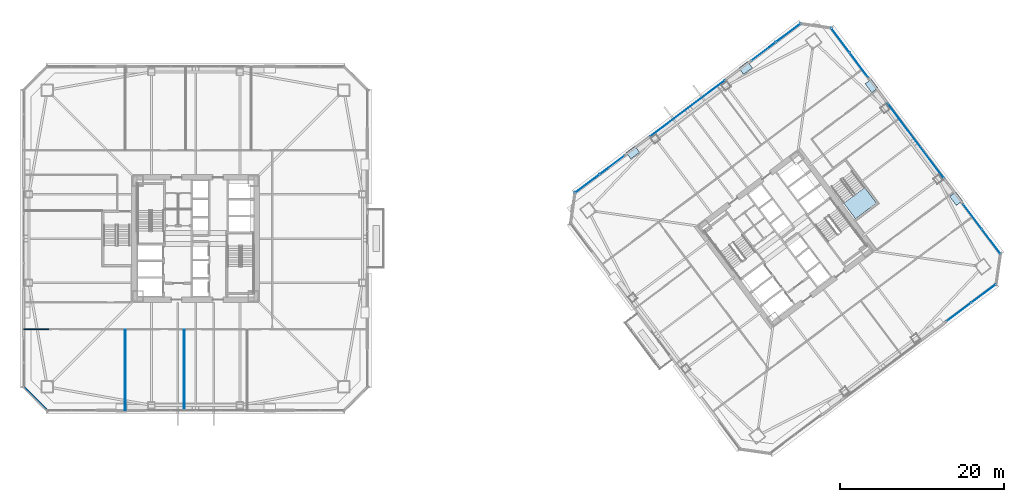
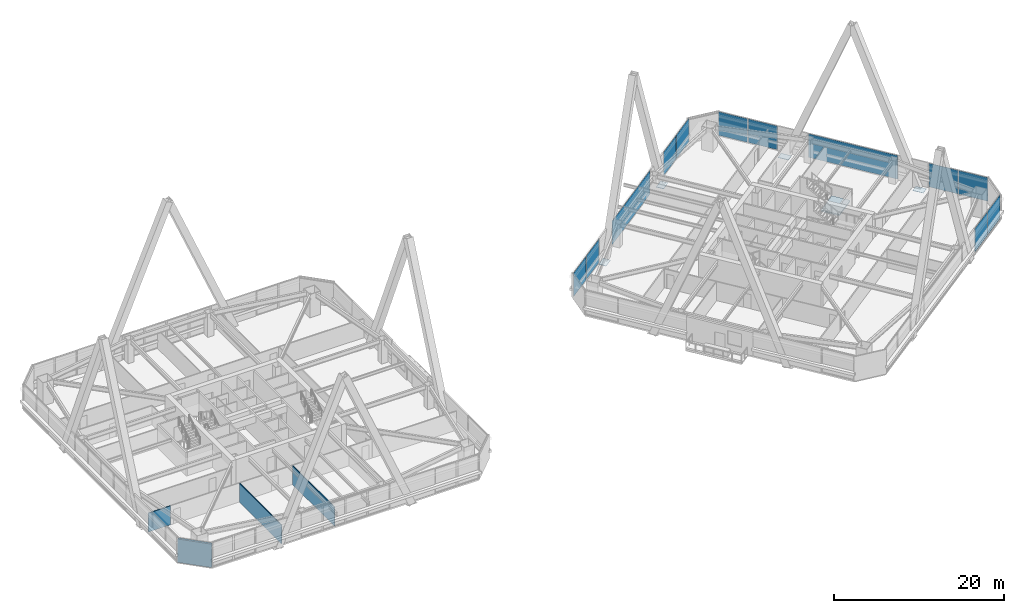
# One storey, part 42 of 54: 16 plates, 4 walls, 1 slab, 8 elements without a shape of their own.
"""IFC4 building model written with IfcOpenShell, lengths in metres."""

from ifc_helpers import new_model, si_unit, direction, frame, frame_2d, origin, origin_2d, place, context, subcontext, project, spatial, polyline, rectangle, outline, extrude, material, layer, layer_set, type_object, element, aggregate, save


model = new_model("IFC4")

# Units and contexts
model_context = context("Model", 3, precision=1e-05, world=origin(), true_north=direction((0.0, 1.0)))
body_context = subcontext(model_context, "Body", "Model", "MODEL_VIEW")
ifc_project = project(units=[si_unit("LENGTHUNIT", "METRE"), si_unit("AREAUNIT", "SQUARE_METRE"), si_unit("VOLUMEUNIT", "CUBIC_METRE"), si_unit("PLANEANGLEUNIT", "RADIAN"), si_unit("MASSUNIT", "GRAM", prefix="KILO")], contexts=[model_context])

# Site, building, storey
site_placement = place(None, origin())
site = spatial("IfcSite", under=ifc_project, at=site_placement, CompositionType="ELEMENT")
building_placement = place(site_placement, origin())
building = spatial("IfcBuilding", under=site, at=building_placement, Name="Tashvorn Skyway Center", CompositionType="ELEMENT")
storey_placement = place(building_placement, frame((0.0, 0.0, 88.5)))
storey = spatial("IfcBuildingStorey", under=building, at=storey_placement, Name="L23", CompositionType="ELEMENT", Elevation=88.5)

# Curtain wall, plates
ifc_material_1 = material(Name="Thermally broken bronze-anodized aluminium 6063-T6", Category="aluminium")
curtain_wall_type = type_object("IfcCurtainWallType", Name="CW-CW-Z2", PredefinedType="NOTDEFINED", material=ifc_material_1)
curtain_wall_1_placement = place(storey_placement, origin())
curtain_wall_1 = element("IfcCurtainWall", 1, at=curtain_wall_1_placement, inside=storey, type_object=curtain_wall_type, Name="Tower 2 L23 South Unitised Curtain Wall Glazing Group 1", PredefinedType="NOTDEFINED")
ifc_material_2 = material(Name="Low-E solar-control double insulating safety glass", Category="glass")
ifc_layer_1 = layer(ifc_material_2, 0.0439453125)
ifc_layer_set_1 = layer_set([ifc_layer_1], Name="Low-E solar-control double insulating safety glass")
plate_type_1 = type_object("IfcPlateType", Name="CWP-CW-Z2", PredefinedType="CURTAIN_PANEL", material=ifc_layer_set_1)
plate_1_placement = place(storey_placement, frame((138.199951171875, 25.300048828125, 0.080078125), z_axis=(0.0, 0.0, 1.0), x_axis=(-0.799999999998, -0.600000000002, 0.0)))
plate_1 = element("IfcPlate", 2, at=plate_1_placement, type_object=plate_type_1, Name="CW-Z2 panel 1.1", PredefinedType="CURTAIN_PANEL", context=body_context, shape_type="SweptSolid", body=[
    extrude(rectangle(XDim=3.719970703125, YDim=0.0439453125, at=origin_2d()), origin(), (0.0, 0.0, 1.0), 3.389892578125),
])
plate_2_placement = place(storey_placement, frame((135.159912109375, 23.02001953125, 0.080078125), z_axis=(0.0, 0.0, 1.0), x_axis=(-0.799999999998, -0.600000000002, 0.0)))
plate_2 = element("IfcPlate", 3, at=plate_2_placement, type_object=plate_type_1, Name="CW-Z2 panel 2.1", PredefinedType="CURTAIN_PANEL", context=body_context, shape_type="SweptSolid", body=[
    extrude(rectangle(XDim=3.719970703125, YDim=0.0439453125, at=origin_2d()), origin(), (0.0, 0.0, 1.0), 3.389892578125),
])
aggregate(curtain_wall_1, [plate_1, plate_2])

curtain_wall_2_placement = place(storey_placement, origin())
curtain_wall_2 = element("IfcCurtainWall", 4, at=curtain_wall_2_placement, inside=storey, type_object=curtain_wall_type, Name="Tower 2 L23 North Unitised Curtain Wall Glazing Group 1", PredefinedType="NOTDEFINED")
plate_3_placement = place(storey_placement, frame((89.800048828125, 38.699951171875, 0.080078125), z_axis=(0.0, 0.0, 1.0), x_axis=(0.799999999998, 0.600000000002, 0.0)))
plate_3 = element("IfcPlate", 5, at=plate_3_placement, type_object=plate_type_1, Name="CW-Z2 panel 1.1", PredefinedType="CURTAIN_PANEL", context=body_context, shape_type="SweptSolid", body=[
    extrude(rectangle(XDim=3.719970703125, YDim=0.0439453125, at=origin_2d()), origin(), (0.0, 0.0, 1.0), 3.389892578125),
])
plate_4_placement = place(storey_placement, frame((92.840087890625, 40.97998046875, 0.080078125), z_axis=(0.0, 0.0, 1.0), x_axis=(0.799999999998, 0.600000000002, 0.0)))
plate_4 = element("IfcPlate", 6, at=plate_4_placement, type_object=plate_type_1, Name="CW-Z2 panel 2.1", PredefinedType="CURTAIN_PANEL", context=body_context, shape_type="SweptSolid", body=[
    extrude(rectangle(XDim=3.719970703125, YDim=0.0439453125, at=origin_2d()), origin(), (0.0, 0.0, 1.0), 3.389892578125),
])
aggregate(curtain_wall_2, [plate_3, plate_4])

# Curtain wall, plate
curtain_wall_3_placement = place(storey_placement, origin())
curtain_wall_3 = element("IfcCurtainWall", 7, at=curtain_wall_3_placement, inside=storey, type_object=curtain_wall_type, Name="Tower 2 L23 North Unitised Curtain Wall Glazing Group 2", PredefinedType="NOTDEFINED")
plate_5_placement = place(storey_placement, frame((102.072021484375, 47.904052734375, 0.080078125), z_axis=(0.0, 0.0, 1.0), x_axis=(0.799999999998, 0.600000000002, 0.0)))
plate_5 = element("IfcPlate", 8, at=plate_5_placement, type_object=plate_type_1, Name="CW-Z2 panel 1.1", PredefinedType="CURTAIN_PANEL", context=body_context, shape_type="SweptSolid", body=[
    extrude(rectangle(XDim=11.360107421875, YDim=0.0439453125, at=origin_2d()), origin(), (0.0, 0.0, 1.0), 3.389892578125),
])
aggregate(curtain_wall_3, [plate_5])

# Curtain wall, plates
curtain_wall_4_placement = place(storey_placement, origin())
curtain_wall_4 = element("IfcCurtainWall", 9, at=curtain_wall_4_placement, inside=storey, type_object=curtain_wall_type, Name="Tower 2 L23 North Unitised Curtain Wall Glazing Group 3", PredefinedType="NOTDEFINED")
plate_6_placement = place(storey_placement, frame((111.303955078125, 54.827880859375, 0.080078125), z_axis=(0.0, 0.0, 1.0), x_axis=(0.799999999998, 0.600000000002, 0.0)))
plate_6 = element("IfcPlate", 10, at=plate_6_placement, type_object=plate_type_1, Name="CW-Z2 panel 1.1", PredefinedType="CURTAIN_PANEL", context=body_context, shape_type="SweptSolid", body=[
    extrude(rectangle(XDim=3.719970703125, YDim=0.0439453125, at=origin_2d()), origin(), (0.0, 0.0, 1.0), 3.389892578125),
])
plate_7_placement = place(storey_placement, frame((114.343994140625, 57.10791015625, 0.080078125), z_axis=(0.0, 0.0, 1.0), x_axis=(0.799999999998, 0.600000000002, 0.0)))
plate_7 = element("IfcPlate", 11, at=plate_7_placement, type_object=plate_type_1, Name="CW-Z2 panel 2.1", PredefinedType="CURTAIN_PANEL", context=body_context, shape_type="SweptSolid", body=[
    extrude(rectangle(XDim=3.719970703125, YDim=0.0439453125, at=origin_2d()), origin(), (0.0, 0.0, 1.0), 3.389892578125),
])
aggregate(curtain_wall_4, [plate_6, plate_7])

curtain_wall_5_placement = place(storey_placement, origin())
curtain_wall_5 = element("IfcCurtainWall", 12, at=curtain_wall_5_placement, inside=storey, type_object=curtain_wall_type, Name="Tower 2 L23 East Unitised Curtain Wall Glazing Group 1", PredefinedType="NOTDEFINED")
plate_8_placement = place(storey_placement, frame((120.699951171875, 56.199951171875, 0.080078125), z_axis=(0.0, 0.0, 1.0), x_axis=(0.600000000002, -0.799999999998, 0.0)))
plate_8 = element("IfcPlate", 13, at=plate_8_placement, type_object=plate_type_1, Name="CW-Z2 panel 1.1", PredefinedType="CURTAIN_PANEL", context=body_context, shape_type="SweptSolid", body=[
    extrude(rectangle(XDim=3.719970703125, YDim=0.0439453125, at=origin_2d()), origin(), (0.0, 0.0, 1.0), 3.389892578125),
])
plate_9_placement = place(storey_placement, frame((122.97998046875, 53.159912109375, 0.080078125), z_axis=(0.0, 0.0, 1.0), x_axis=(0.600000000002, -0.799999999998, 0.0)))
plate_9 = element("IfcPlate", 14, at=plate_9_placement, type_object=plate_type_1, Name="CW-Z2 panel 2.1", PredefinedType="CURTAIN_PANEL", context=body_context, shape_type="SweptSolid", body=[
    extrude(rectangle(XDim=3.719970703125, YDim=0.0439453125, at=origin_2d()), origin(), (0.0, 0.0, 1.0), 3.389892578125),
])
aggregate(curtain_wall_5, [plate_8, plate_9])

# Curtain wall, plate
curtain_wall_6_placement = place(storey_placement, origin())
curtain_wall_6 = element("IfcCurtainWall", 15, at=curtain_wall_6_placement, inside=storey, type_object=curtain_wall_type, Name="Tower 2 L23 East Unitised Curtain Wall Glazing Group 2", PredefinedType="NOTDEFINED")
plate_10_placement = place(storey_placement, frame((129.904052734375, 43.927978515625, 0.080078125), z_axis=(0.0, 0.0, 1.0), x_axis=(0.600000000002, -0.799999999998, 0.0)))
plate_10 = element("IfcPlate", 16, at=plate_10_placement, type_object=plate_type_1, Name="CW-Z2 panel 1.1", PredefinedType="CURTAIN_PANEL", context=body_context, shape_type="SweptSolid", body=[
    extrude(rectangle(XDim=11.360107421875, YDim=0.0439453125, at=origin_2d()), origin(), (0.0, 0.0, 1.0), 3.389892578125),
])
aggregate(curtain_wall_6, [plate_10])

# Curtain wall, plates
curtain_wall_7_placement = place(storey_placement, origin())
curtain_wall_7 = element("IfcCurtainWall", 17, at=curtain_wall_7_placement, inside=storey, type_object=curtain_wall_type, Name="Tower 2 L23 East Unitised Curtain Wall Glazing Group 3", PredefinedType="NOTDEFINED")
plate_11_placement = place(storey_placement, frame((136.827880859375, 34.696044921875, 0.080078125), z_axis=(0.0, 0.0, 1.0), x_axis=(0.600000000002, -0.799999999998, 0.0)))
plate_11 = element("IfcPlate", 18, at=plate_11_placement, type_object=plate_type_1, Name="CW-Z2 panel 1.1", PredefinedType="CURTAIN_PANEL", context=body_context, shape_type="SweptSolid", body=[
    extrude(rectangle(XDim=3.719970703125, YDim=0.0439453125, at=origin_2d()), origin(), (0.0, 0.0, 1.0), 3.389892578125),
])
plate_12_placement = place(storey_placement, frame((139.10791015625, 31.656005859375, 0.080078125), z_axis=(0.0, 0.0, 1.0), x_axis=(0.600000000002, -0.799999999998, 0.0)))
plate_12 = element("IfcPlate", 19, at=plate_12_placement, type_object=plate_type_1, Name="CW-Z2 panel 2.1", PredefinedType="CURTAIN_PANEL", context=body_context, shape_type="SweptSolid", body=[
    extrude(rectangle(XDim=3.719970703125, YDim=0.0439453125, at=origin_2d()), origin(), (0.0, 0.0, 1.0), 3.389892578125),
])
aggregate(curtain_wall_7, [plate_11, plate_12])

# Plates
ifc_material_3 = material(Name="Steel ASTM A572 Grade 50", Category="steel")
ifc_layer_2 = layer(ifc_material_3, 0.044921875)
ifc_layer_set_2 = layer_set([ifc_layer_2], Name="Steel ASTM A572 Grade 50")
plate_type_2 = type_object("IfcPlateType", Name="PLT-GUSSET-45", PredefinedType="USERDEFINED", material=ifc_layer_set_2)
for number, where, z_axis, x_axis, name in (
    (20, (134.823974609375, 36.867919921875, -0.472412109375), (0.0, 0.0, 1.0), (-0.600000004945, 0.799999996291, 0.0), "Tower 2 Zone 2 E Mid-Chevron Node Gusset L"),
    (21, (124.50390625, 50.6279296875, -0.472412109375), (0.0, 0.0, 1.0), (-0.600000004945, 0.799999996291, 0.0), "Tower 2 Zone 2 E Mid-Chevron Node Gusset R"),
    (22, (109.132080078125, 52.823974609375, -0.472412109375), (0.0, 0.0, 1.0), (-0.799999996291, -0.600000004945, 0.0), "Tower 2 Zone 2 N Mid-Chevron Node Gusset L"),
    (23, (95.3720703125, 42.50390625, -0.472412109375), (0.0, 0.0, 1.0), (-0.799999996291, -0.600000004945, 0.0), "Tower 2 Zone 2 N Mid-Chevron Node Gusset R"),
):
    element("IfcPlate", number, at=place(storey_placement, frame(where, z_axis=z_axis, x_axis=x_axis)), inside=storey, type_object=plate_type_2, Name=name, ObjectType="GUSSET PLATE", PredefinedType="USERDEFINED", context=body_context, shape_type="SweptSolid", body=[
        extrude(rectangle(XDim=1.35009765625, YDim=0.949951171875, at=origin_2d()), origin(), (0.0, 0.0, 1.0), 0.044921875),
    ])

# Stair, slab
ifc_material_4 = material(Name="Concrete C40/50", Category="concrete")
stair_type = type_object("IfcStairType", Name="STAIR-CORE-1500", PredefinedType="HALF_TURN_STAIR", material=ifc_material_4)
stair_placement = place(storey_placement, origin())
stair = element("IfcStair", 24, at=stair_placement, inside=storey, type_object=stair_type, Name="L23 Tower 2 Exit Stair 3", PredefinedType="HALF_TURN_STAIR")
ifc_layer_3 = layer(ifc_material_4, 0.199951171875)
ifc_layer_set_3 = layer_set([ifc_layer_3], Name="Concrete C40/50")
slab_type = type_object("IfcSlabType", Name="SLAB-LAND-200", PredefinedType="LANDING", material=ifc_layer_set_3)
slab_placement = place(storey_placement, frame((0.0, 0.0, 1.574951171875)))
slab = element("IfcSlab", 25, at=slab_placement, type_object=slab_type, Name="ST-T2-3 landing 1", PredefinedType="LANDING", context=body_context, shape_type="SweptSolid", body=[
    extrude(outline(polyline([(121.123291015625, 36.302490234375), (122.5439453125, 34.407958984375), (125.10400390625, 36.327880859375), (123.68310546875, 38.222412109375), (121.123291015625, 36.302490234375)])), origin(), (0.0, 0.0, 1.0), 0.199951171875),
])
aggregate(stair, [slab])

# Walls
ifc_material_5 = material(Name="Precast concrete C40/50", Category="concrete")
ifc_layer_4 = layer(ifc_material_5, 0.280029296875)
ifc_layer_set_4 = layer_set([ifc_layer_4], Name="Precast concrete C40/50")
wall_type_1 = type_object("IfcWallType", Name="WALL-EXT-280", PredefinedType="SOLIDWALL", material=ifc_layer_set_4)
wall_1_placement = place(storey_placement, frame((23.89990234375, 11.0, 0.0), z_axis=(0.0, 0.0, 1.0), x_axis=(-0.707106781187, 0.707106781187, 0.0)))
element("IfcWall", 26, at=wall_1_placement, inside=storey, type_object=wall_type_1, Name="Tower 1 L23 SW Precast Chamfer Wall", PredefinedType="SOLIDWALL", context=body_context, shape_type="SweptSolid", body=[
    extrude(rectangle(XDim=4.10107421875, YDim=0.280029296875, at=frame_2d((2.050537109375, 0.0))), origin(), (0.0, 0.0, 1.0), 3.35009765625),
])
ifc_material_6 = material(Name="Gypsum board on cold-formed steel stud framing", Category="steel")
ifc_layer_5 = layer(ifc_material_6, 0.110107421875)
ifc_layer_set_5 = layer_set([ifc_layer_5], Name="Gypsum board on cold-formed steel stud framing")
wall_type_2 = type_object("IfcWallType", Name="WALL-PART-110", PredefinedType="PARTITIONING", material=ifc_layer_set_5)
for number, where, z_axis, x_axis, name in (
    (27, (33.39990234375, 11.02001953125, 0.0), (0.0, 0.0, 1.0), (0.0, 1.0, 0.0), "Tower 1 L23 South Suite Partition 1"),
    (28, (40.60009765625, 11.02001953125, 0.0), (0.0, 0.0, 1.0), (0.0, 1.0, 0.0), "Tower 1 L23 South Suite Partition 2"),
):
    element("IfcWall", number, at=place(storey_placement, frame(where, z_axis=z_axis, x_axis=x_axis)), inside=storey, type_object=wall_type_2, Name=name, PredefinedType="PARTITIONING", context=body_context, shape_type="SweptSolid", body=[
        extrude(rectangle(XDim=9.85009765625, YDim=0.110107421875, at=frame_2d((4.925048828125, 0.0))), origin(), (0.0, 0.0, 1.0), 2.702880859375),
    ])
ifc_layer_6 = layer(ifc_material_6, 0.135009765625)
ifc_layer_set_6 = layer_set([ifc_layer_6], Name="Gypsum board on cold-formed steel stud framing")
wall_type_3 = type_object("IfcWallType", Name="WALL-PART-135", PredefinedType="PARTITIONING", material=ifc_layer_set_6)
wall_2_placement = place(storey_placement, frame((21.02001953125, 20.949951171875, 0.0), z_axis=(0.0, 0.0, 1.0), x_axis=(1.0, 0.0, 0.0)))
element("IfcWall", 29, at=wall_2_placement, inside=storey, type_object=wall_type_3, Name="Tower 1 L23 South-West Suite North Wall", PredefinedType="PARTITIONING", context=body_context, shape_type="SweptSolid", body=[
    extrude(rectangle(XDim=3.030029296875, YDim=0.135009765625, at=frame_2d((1.51513671875, 0.0))), origin(), (0.0, 0.0, 1.0), 2.702880859375),
])

save(model, "model.ifc")
